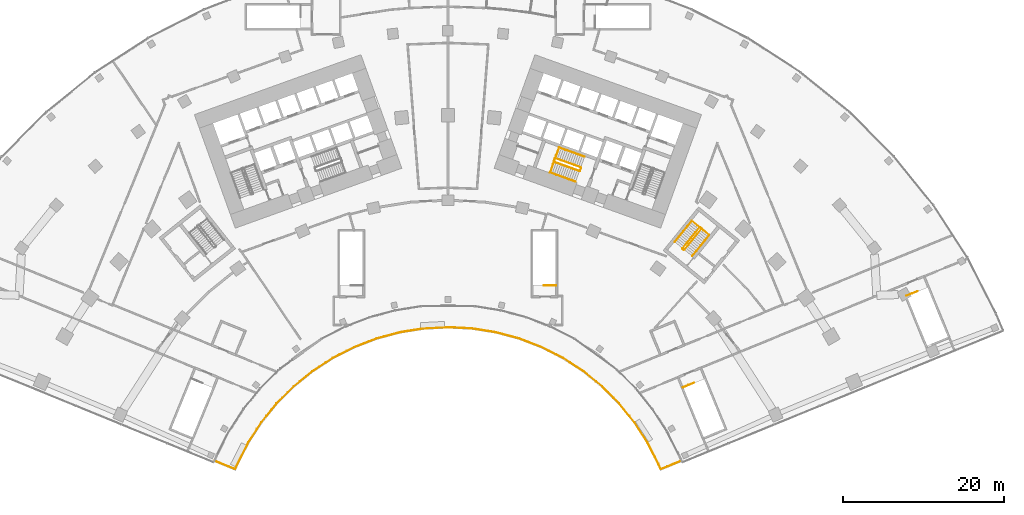
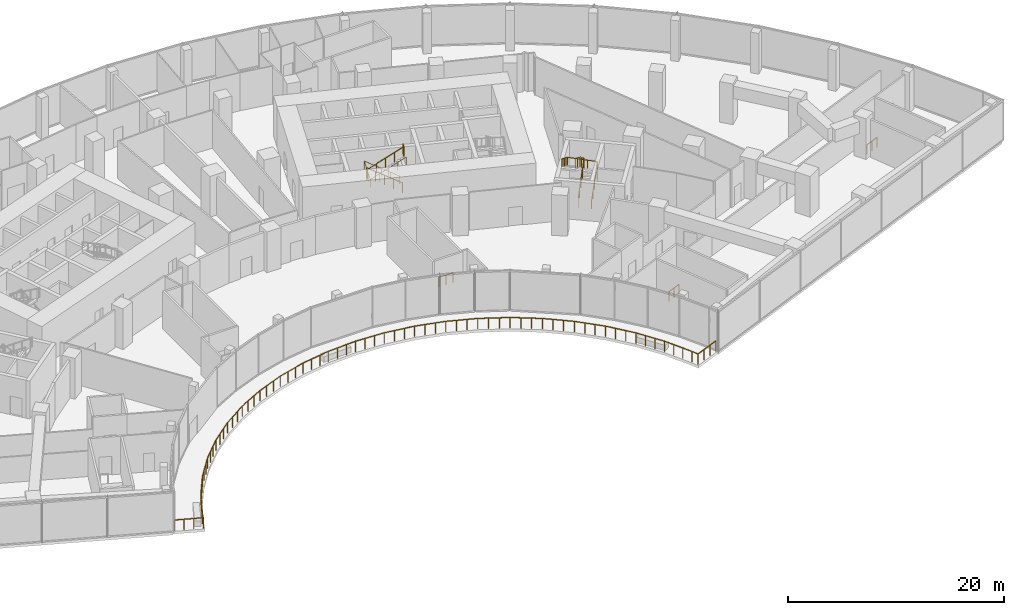
# One storey, part 32 of 33: 11 railings.
"""IFC4 building model written with IfcOpenShell, lengths in metres."""

from ifc_helpers import new_model, si_unit, direction, frame, origin, origin_2d, place, context, subcontext, project, spatial, circle, extrude, material, type_object, element, save


model = new_model("IFC4")

# Units and contexts
model_context = context("Model", 3, precision=1e-05, world=origin(), true_north=direction((0.0, 1.0)))
body_context = subcontext(model_context, "Body", "Model", "MODEL_VIEW")
ifc_project = project(units=[si_unit("LENGTHUNIT", "METRE"), si_unit("AREAUNIT", "SQUARE_METRE"), si_unit("VOLUMEUNIT", "CUBIC_METRE"), si_unit("PLANEANGLEUNIT", "RADIAN"), si_unit("MASSUNIT", "GRAM", prefix="KILO")], contexts=[model_context])

# Site, building, storey
site_placement = place(None, origin())
site = spatial("IfcSite", under=ifc_project, at=site_placement, CompositionType="ELEMENT")
building_placement = place(site_placement, origin())
building = spatial("IfcBuilding", under=site, at=building_placement, Name="Stone Belt Terrace Tower", CompositionType="ELEMENT")
storey_placement = place(building_placement, frame((0.0, 0.0, 25.39990234375)))
storey = spatial("IfcBuildingStorey", under=building, at=storey_placement, Name="L05", CompositionType="ELEMENT", Elevation=25.39990234375)

# Railings
ifc_material_1 = material(Name="Steel balustrade", Category="steel")
railing_type_1 = type_object("IfcRailingType", Name="Podium stair guard", PredefinedType="GUARDRAIL", material=ifc_material_1)
for number, where, name in (
    (1, (29.2236328125, 21.185546875, 0.0), "L05 PS3 top well guard 1"),
    (2, (56.982666015625, 32.562744140625, 0.0), "L05 PS4 top well guard 1"),
):
    element("IfcRailing", number, at=place(storey_placement, frame(where)), inside=storey, type_object=railing_type_1, Name=name, PredefinedType="GUARDRAIL", context=body_context, shape_type="SweptSolid", body=[
        extrude(circle(Radius=0.02392578125, at=origin_2d()), frame((0.0, 0.0, 1.076171875), z_axis=(0.925300457224, 0.379234839988, 0.0), x_axis=(-0.379234839988, 0.925300457224, 0.0)), (0.0, 0.0, 1.0), 1.5),
        extrude(circle(Radius=0.02099609375, at=origin_2d()), origin(), (0.0, 0.0, 1.0), 1.052001953125),
        extrude(circle(Radius=0.02099609375, at=origin_2d()), frame((0.69384765625, 0.284423828125, 0.0)), (0.0, 0.0, 1.0), 1.052001953125),
        extrude(circle(Radius=0.02099609375, at=origin_2d()), frame((1.387939453125, 0.56884765625, 0.0)), (0.0, 0.0, 1.0), 1.052001953125),
    ])
railing_1_placement = place(storey_placement, frame((13.425048828125, 33.840087890625, 0.0)))
element("IfcRailing", 3, at=railing_1_placement, inside=storey, type_object=railing_type_1, Name="L05 PS6 top well guard 1", PredefinedType="GUARDRAIL", context=body_context, shape_type="SweptSolid", body=[
    extrude(circle(Radius=0.02392578125, at=origin_2d()), frame((0.0, 0.0, 1.076171875), z_axis=(-1.0, 0.0, 0.0), x_axis=(0.0, -1.0, 0.0)), (0.0, 0.0, 1.0), 1.5),
    extrude(circle(Radius=0.02099609375, at=origin_2d()), origin(), (0.0, 0.0, 1.0), 1.052001953125),
    extrude(circle(Radius=0.02099609375, at=origin_2d()), frame((-0.75, 0.0, 0.0)), (0.0, 0.0, 1.0), 1.052001953125),
    extrude(circle(Radius=0.02099609375, at=origin_2d()), frame((-1.5, 0.0, 0.0)), (0.0, 0.0, 1.0), 1.052001953125),
])
ifc_material_2 = material(Name="Structural steel C345", Category="steel")
railing_type_2 = type_object("IfcRailingType", Name="Stair guard 1100", PredefinedType="GUARDRAIL", material=ifc_material_2)
railing_2_placement = place(storey_placement, frame((16.507568359375, 48.527099609375, 0.177001953125)))
element("IfcRailing", 4, at=railing_2_placement, inside=storey, type_object=railing_type_2, Name="L05 ST2B stair guard 1", PredefinedType="GUARDRAIL", context=body_context, shape_type="SweptSolid", body=[
    extrude(circle(Radius=0.02392578125, at=origin_2d()), frame((0.0, 0.0, 1.076171875), z_axis=(-0.795431811234, 0.286254710043, 0.534178317283), x_axis=(-0.338613969627, -0.9409253847, 0.0)), (0.0, 0.0, 1.0), 3.974365234375),
    extrude(circle(Radius=0.02392578125, at=origin_2d()), frame((-3.161376953125, 1.1376953125, 3.19921875), z_axis=(-0.905209821074, -0.424964916, 0.0), x_axis=(0.424964916, -0.905209821074, 0.0)), (0.0, 0.0, 1.0), 0.070556640625),
    extrude(circle(Radius=0.02392578125, at=origin_2d()), frame((-3.225341796875, 1.107666015625, 3.19921875), z_axis=(-0.338654645739, -0.940910745459, 0.0), x_axis=(0.940910745459, -0.338654645739, 0.0)), (0.0, 0.0, 1.0), 0.400146484375),
    extrude(circle(Radius=0.02099609375, at=origin_2d()), origin(), (0.0, 0.0, 1.0), 1.052001953125),
    extrude(circle(Radius=0.02099609375, at=origin_2d()), frame((-0.790283203125, 0.284423828125, 0.53076171875)), (0.0, 0.0, 1.0), 1.052001953125),
    extrude(circle(Radius=0.02099609375, at=origin_2d()), frame((-1.58056640625, 0.56884765625, 1.0615234375)), (0.0, 0.0, 1.0), 1.052001953125),
    extrude(circle(Radius=0.02099609375, at=origin_2d()), frame((-2.37109375, 0.853271484375, 1.59228515625)), (0.0, 0.0, 1.0), 1.052001953125),
    extrude(circle(Radius=0.02099609375, at=origin_2d()), frame((-3.161376953125, 1.1376953125, 2.123046875)), (0.0, 0.0, 1.0), 1.052001953125),
    extrude(circle(Radius=0.02099609375, at=origin_2d()), frame((-3.225341796875, 1.107666015625, 2.123046875)), (0.0, 0.0, 1.0), 1.052001953125),
    extrude(circle(Radius=0.02099609375, at=origin_2d()), frame((-3.36083984375, 0.731201171875, 2.123046875)), (0.0, 0.0, 1.0), 1.052001953125),
])
railing_3_placement = place(storey_placement, frame((13.1767578125, 49.1943359375, 2.47705078125)))
element("IfcRailing", 5, at=railing_3_placement, inside=storey, type_object=railing_type_2, Name="L05 ST2B stair guard 2", PredefinedType="GUARDRAIL", context=body_context, shape_type="SweptSolid", body=[
    extrude(circle(Radius=0.02392578125, at=origin_2d()), frame((0.0, 0.0, 1.076171875), z_axis=(0.79545437138, -0.286240723601, 0.53415221726), x_axis=(0.338590819614, 0.940933715451, 0.0)), (0.0, 0.0, 1.0), 3.974609375),
    extrude(circle(Radius=0.02392578125, at=origin_2d()), frame((3.16162109375, -1.1376953125, 3.19921875), z_axis=(0.905209821074, 0.424964916, 0.0), x_axis=(-0.424964916, 0.905209821074, 0.0)), (0.0, 0.0, 1.0), 0.070556640625),
    extrude(circle(Radius=0.02392578125, at=origin_2d()), frame((3.2255859375, -1.107666015625, 3.19921875), z_axis=(0.338654645739, 0.940910745459, 0.0), x_axis=(-0.940910745459, 0.338654645739, 0.0)), (0.0, 0.0, 1.0), 0.400146484375),
    extrude(circle(Radius=0.02099609375, at=origin_2d()), origin(), (0.0, 0.0, 1.0), 1.052001953125),
    extrude(circle(Radius=0.02099609375, at=origin_2d()), frame((0.79052734375, -0.284423828125, 0.53076171875)), (0.0, 0.0, 1.0), 1.052001953125),
    extrude(circle(Radius=0.02099609375, at=origin_2d()), frame((1.580810546875, -0.56884765625, 1.0615234375)), (0.0, 0.0, 1.0), 1.052001953125),
    extrude(circle(Radius=0.02099609375, at=origin_2d()), frame((2.37109375, -0.853271484375, 1.59228515625)), (0.0, 0.0, 1.0), 1.052001953125),
    extrude(circle(Radius=0.02099609375, at=origin_2d()), frame((3.16162109375, -1.1376953125, 2.123046875)), (0.0, 0.0, 1.0), 1.052001953125),
    extrude(circle(Radius=0.02099609375, at=origin_2d()), frame((3.2255859375, -1.107666015625, 2.123046875)), (0.0, 0.0, 1.0), 1.052001953125),
    extrude(circle(Radius=0.02099609375, at=origin_2d()), frame((3.361083984375, -0.731201171875, 2.123046875)), (0.0, 0.0, 1.0), 1.052001953125),
])
railing_4_placement = place(storey_placement, frame((29.39794921875, 38.281982421875, 0.177001953125)))
element("IfcRailing", 6, at=railing_4_placement, inside=storey, type_object=railing_type_2, Name="L05 ST3B stair guard 1", PredefinedType="GUARDRAIL", context=body_context, shape_type="SweptSolid", body=[
    extrude(circle(Radius=0.02392578125, at=origin_2d()), frame((0.0, 0.0, 1.076171875), z_axis=(0.532811519988, 0.656339761479, 0.534162898065), x_axis=(-0.776382860746, 0.63026157549, 0.0)), (0.0, 0.0, 1.0), 3.974609375),
    extrude(circle(Radius=0.02392578125, at=origin_2d()), frame((2.11767578125, 2.608642578125, 3.19921875), z_axis=(-0.103606084259, 0.994618408891, 0.0), x_axis=(-0.994618408891, -0.103606084259, 0.0)), (0.0, 0.0, 1.0), 0.07080078125),
    extrude(circle(Radius=0.02392578125, at=origin_2d()), frame((2.1103515625, 2.678955078125, 3.19921875), z_axis=(-0.775964699182, 0.630776335656, 0.0), x_axis=(-0.630776335656, -0.775964699182, 0.0)), (0.0, 0.0, 1.0), 0.2001953125),
    extrude(circle(Radius=0.02099609375, at=origin_2d()), origin(), (0.0, 0.0, 1.0), 1.052001953125),
    extrude(circle(Radius=0.02099609375, at=origin_2d()), frame((0.529296875, 0.652099609375, 0.53076171875)), (0.0, 0.0, 1.0), 1.052001953125),
    extrude(circle(Radius=0.02099609375, at=origin_2d()), frame((1.058837890625, 1.30419921875, 1.0615234375)), (0.0, 0.0, 1.0), 1.052001953125),
    extrude(circle(Radius=0.02099609375, at=origin_2d()), frame((1.58837890625, 1.95654296875, 1.59228515625)), (0.0, 0.0, 1.0), 1.052001953125),
    extrude(circle(Radius=0.02099609375, at=origin_2d()), frame((2.11767578125, 2.608642578125, 2.123046875)), (0.0, 0.0, 1.0), 1.052001953125),
    extrude(circle(Radius=0.02099609375, at=origin_2d()), frame((2.1103515625, 2.678955078125, 2.123046875)), (0.0, 0.0, 1.0), 1.052001953125),
    extrude(circle(Radius=0.02099609375, at=origin_2d()), frame((1.955078125, 2.80517578125, 2.123046875)), (0.0, 0.0, 1.0), 1.052001953125),
])
railing_5_placement = place(storey_placement, frame((31.28271484375, 41.079833984375, 2.47705078125)))
element("IfcRailing", 7, at=railing_5_placement, inside=storey, type_object=railing_type_2, Name="L05 ST3B stair guard 2", PredefinedType="GUARDRAIL", context=body_context, shape_type="SweptSolid", body=[
    extrude(circle(Radius=0.02392578125, at=origin_2d()), frame((0.0, 0.0, 1.076171875), z_axis=(-0.532790039182, -0.656374724314, 0.534141362777), x_axis=(0.776411721411, -0.63022602204, 0.0)), (0.0, 0.0, 1.0), 3.974609375),
    extrude(circle(Radius=0.02392578125, at=origin_2d()), frame((-2.11767578125, -2.60888671875, 3.19921875), z_axis=(0.103606084259, -0.994618408891, 0.0), x_axis=(0.994618408891, 0.103606084259, 0.0)), (0.0, 0.0, 1.0), 0.07080078125),
    extrude(circle(Radius=0.02392578125, at=origin_2d()), frame((-2.1103515625, -2.67919921875, 3.19921875), z_axis=(0.776561986372, -0.630040856868, 0.0), x_axis=(0.630040856868, 0.776561986372, 0.0)), (0.0, 0.0, 1.0), 0.199951171875),
    extrude(circle(Radius=0.02099609375, at=origin_2d()), origin(), (0.0, 0.0, 1.0), 1.052001953125),
    extrude(circle(Radius=0.02099609375, at=origin_2d()), frame((-0.529296875, -0.65234375, 0.53076171875)), (0.0, 0.0, 1.0), 1.052001953125),
    extrude(circle(Radius=0.02099609375, at=origin_2d()), frame((-1.058837890625, -1.304443359375, 1.0615234375)), (0.0, 0.0, 1.0), 1.052001953125),
    extrude(circle(Radius=0.02099609375, at=origin_2d()), frame((-1.58837890625, -1.95654296875, 1.59228515625)), (0.0, 0.0, 1.0), 1.052001953125),
    extrude(circle(Radius=0.02099609375, at=origin_2d()), frame((-2.11767578125, -2.60888671875, 2.123046875)), (0.0, 0.0, 1.0), 1.052001953125),
    extrude(circle(Radius=0.02099609375, at=origin_2d()), frame((-2.1103515625, -2.67919921875, 2.123046875)), (0.0, 0.0, 1.0), 1.052001953125),
    extrude(circle(Radius=0.02099609375, at=origin_2d()), frame((-1.955078125, -2.80517578125, 2.123046875)), (0.0, 0.0, 1.0), 1.052001953125),
])
railing_type_3 = type_object("IfcRailingType", Name="Stair handrail 900", PredefinedType="HANDRAIL", material=ifc_material_2)
railing_6_placement = place(storey_placement, frame((16.981689453125, 49.84423828125, 0.177001953125)))
element("IfcRailing", 8, at=railing_6_placement, inside=storey, type_object=railing_type_3, Name="L05 ST2B stair handrail 1", PredefinedType="HANDRAIL", context=body_context, shape_type="SweptSolid", body=[
    extrude(circle(Radius=0.02392578125, at=origin_2d()), frame((0.0, 0.0, 0.8759765625), z_axis=(-0.795417823175, 0.286311103083, 0.534168923494), x_axis=(-0.338678299589, -0.940902231577, 0.0)), (0.0, 0.0, 1.0), 3.974365234375),
    extrude(circle(Radius=0.02392578125, at=origin_2d()), frame((-3.161376953125, 1.137939453125, 2.9990234375), z_axis=(-0.338112997137, -0.939580338779, 0.053557335138), x_axis=(0.940930785231, -0.338598962497, 0.0)), (0.0, 0.0, 1.0), 3.304931640625),
    extrude(circle(Radius=0.02392578125, at=origin_2d()), frame((-4.27880859375, -1.96728515625, 3.17578125), z_axis=(0.795431811234, -0.286254710043, 0.534178317283), x_axis=(0.338613969627, 0.9409253847, 0.0)), (0.0, 0.0, 1.0), 3.974365234375),
    extrude(circle(Radius=0.02099609375, at=origin_2d()), origin(), (0.0, 0.0, 1.0), 0.851806640625),
    extrude(circle(Radius=0.02099609375, at=origin_2d()), frame((-0.790283203125, 0.284423828125, 0.53076171875)), (0.0, 0.0, 1.0), 0.851806640625),
    extrude(circle(Radius=0.02099609375, at=origin_2d()), frame((-1.58056640625, 0.56884765625, 1.0615234375)), (0.0, 0.0, 1.0), 0.851806640625),
    extrude(circle(Radius=0.02099609375, at=origin_2d()), frame((-2.37109375, 0.853515625, 1.59228515625)), (0.0, 0.0, 1.0), 0.851806640625),
    extrude(circle(Radius=0.02099609375, at=origin_2d()), frame((-3.161376953125, 1.137939453125, 2.123046875)), (0.0, 0.0, 1.0), 0.851806640625),
    extrude(circle(Radius=0.02099609375, at=origin_2d()), frame((-3.533935546875, 0.102783203125, 2.18212890625)), (0.0, 0.0, 1.0), 0.851806640625),
    extrude(circle(Radius=0.02099609375, at=origin_2d()), frame((-3.90625, -0.93212890625, 2.240966796875)), (0.0, 0.0, 1.0), 0.851806640625),
    extrude(circle(Radius=0.02099609375, at=origin_2d()), frame((-4.27880859375, -1.96728515625, 2.300048828125)), (0.0, 0.0, 1.0), 0.851806640625),
    extrude(circle(Radius=0.02099609375, at=origin_2d()), frame((-3.488525390625, -2.251708984375, 2.830810546875)), (0.0, 0.0, 1.0), 0.851806640625),
    extrude(circle(Radius=0.02099609375, at=origin_2d()), frame((-2.6982421875, -2.5361328125, 3.361572265625)), (0.0, 0.0, 1.0), 0.851806640625),
    extrude(circle(Radius=0.02099609375, at=origin_2d()), frame((-1.90771484375, -2.820556640625, 3.892333984375)), (0.0, 0.0, 1.0), 0.851806640625),
    extrude(circle(Radius=0.02099609375, at=origin_2d()), frame((-1.117431640625, -3.10498046875, 4.423095703125)), (0.0, 0.0, 1.0), 0.851806640625),
])
railing_7_placement = place(storey_placement, frame((30.36865234375, 37.494140625, 0.177001953125)))
element("IfcRailing", 9, at=railing_7_placement, inside=storey, type_object=railing_type_3, Name="L05 ST3B stair handrail 1", PredefinedType="HANDRAIL", context=body_context, shape_type="SweptSolid", body=[
    extrude(circle(Radius=0.02392578125, at=origin_2d()), frame((0.0, 0.0, 0.8759765625), z_axis=(0.532746049304, 0.656396204642, 0.534158842932), x_axis=(-0.776447273909, 0.630182220345, 0.0)), (0.0, 0.0, 1.0), 3.974609375),
    extrude(circle(Radius=0.02392578125, at=origin_2d()), frame((2.117431640625, 2.60888671875, 2.9990234375), z_axis=(-0.774921747316, 0.628900557873, 0.063090204021), x_axis=(-0.630155936441, -0.776468605784, 0.0)), (0.0, 0.0, 1.0), 2.805419921875),
    extrude(circle(Radius=0.02392578125, at=origin_2d()), frame((-0.056640625, 4.373291015625, 3.17578125), z_axis=(-0.532767529742, -0.656361242395, 0.534180380334), x_axis=(0.776418415934, -0.630217774581, 0.0)), (0.0, 0.0, 1.0), 3.974365234375),
    extrude(circle(Radius=0.02099609375, at=origin_2d()), origin(), (0.0, 0.0, 1.0), 0.851806640625),
    extrude(circle(Radius=0.02099609375, at=origin_2d()), frame((0.529296875, 0.65234375, 0.53076171875)), (0.0, 0.0, 1.0), 0.851806640625),
    extrude(circle(Radius=0.02099609375, at=origin_2d()), frame((1.05859375, 1.304443359375, 1.0615234375)), (0.0, 0.0, 1.0), 0.851806640625),
    extrude(circle(Radius=0.02099609375, at=origin_2d()), frame((1.588134765625, 1.95654296875, 1.59228515625)), (0.0, 0.0, 1.0), 0.851806640625),
    extrude(circle(Radius=0.02099609375, at=origin_2d()), frame((2.117431640625, 2.60888671875, 2.123046875)), (0.0, 0.0, 1.0), 0.851806640625),
    extrude(circle(Radius=0.02099609375, at=origin_2d()), frame((1.392822265625, 3.197021484375, 2.18212890625)), (0.0, 0.0, 1.0), 0.851806640625),
    extrude(circle(Radius=0.02099609375, at=origin_2d()), frame((0.66796875, 3.78515625, 2.240966796875)), (0.0, 0.0, 1.0), 0.851806640625),
    extrude(circle(Radius=0.02099609375, at=origin_2d()), frame((-0.056640625, 4.373291015625, 2.300048828125)), (0.0, 0.0, 1.0), 0.851806640625),
    extrude(circle(Radius=0.02099609375, at=origin_2d()), frame((-0.5859375, 3.72119140625, 2.830810546875)), (0.0, 0.0, 1.0), 0.851806640625),
    extrude(circle(Radius=0.02099609375, at=origin_2d()), frame((-1.115234375, 3.06884765625, 3.361572265625)), (0.0, 0.0, 1.0), 0.851806640625),
    extrude(circle(Radius=0.02099609375, at=origin_2d()), frame((-1.644775390625, 2.416748046875, 3.892333984375)), (0.0, 0.0, 1.0), 0.851806640625),
    extrude(circle(Radius=0.02099609375, at=origin_2d()), frame((-2.174072265625, 1.7646484375, 4.423095703125)), (0.0, 0.0, 1.0), 0.851806640625),
])
ifc_material_3 = material(Name="Stainless steel AISI 304", Category="steel")
railing_type_4 = type_object("IfcRailingType", Name="Terrace guard 1200", PredefinedType="GUARDRAIL", material=ifc_material_3)
railing_8_placement = place(storey_placement, frame((-28.948974609375, 12.027099609375, 0.0)))
element("IfcRailing", 10, at=railing_8_placement, inside=storey, type_object=railing_type_4, Name="GUARD L05 1.1", PredefinedType="GUARDRAIL", context=body_context, shape_type="SweptSolid", body=[
    extrude(circle(Radius=0.02490234375, at=origin_2d()), frame((0.0, 0.0, 1.1748046875), z_axis=(0.925287451014, -0.379266572474, 0.0), x_axis=(0.379266572474, 0.925287451014, 0.0)), (0.0, 0.0, 1.0), 2.69970703125),
    extrude(circle(Radius=0.02490234375, at=origin_2d()), frame((2.498046875, -1.02392578125, 1.1748046875), z_axis=(0.393296284323, 0.919411786273, 0.0), x_axis=(-0.919411786273, 0.393296284323, 0.0)), (0.0, 0.0, 1.0), 0.70947265625),
    extrude(circle(Radius=0.02490234375, at=origin_2d()), frame((2.777099609375, -0.37158203125, 1.1748046875), z_axis=(0.453947752961, 0.891028303469, 0.0), x_axis=(-0.891028303469, 0.453947752961, 0.0)), (0.0, 0.0, 1.0), 2.99609375),
    extrude(circle(Radius=0.02490234375, at=origin_2d()), frame((4.13720703125, 2.298095703125, 1.1748046875), z_axis=(0.544664940249, 0.838653744321, 0.0), x_axis=(-0.838653744321, 0.544664940249, 0.0)), (0.0, 0.0, 1.0), 2.998779296875),
    extrude(circle(Radius=0.02490234375, at=origin_2d()), frame((5.7705078125, 4.81298828125, 1.1748046875), z_axis=(0.629310636824, 0.777153860172, 0.0), x_axis=(-0.777153860172, 0.629310636824, 0.0)), (0.0, 0.0, 1.0), 2.998779296875),
    extrude(circle(Radius=0.02490234375, at=origin_2d()), frame((7.65771484375, 7.1435546875, 1.1748046875), z_axis=(0.707106781187, 0.707106781187, 0.0), x_axis=(-0.707106781187, 0.707106781187, 0.0)), (0.0, 0.0, 1.0), 2.9990234375),
    extrude(circle(Radius=0.02490234375, at=origin_2d()), frame((9.7783203125, 9.26416015625, 1.1748046875), z_axis=(0.777153860172, 0.629310636824, 0.0), x_axis=(-0.629310636824, 0.777153860172, 0.0)), (0.0, 0.0, 1.0), 2.998779296875),
    extrude(circle(Radius=0.02490234375, at=origin_2d()), frame((12.10888671875, 11.1513671875, 1.1748046875), z_axis=(0.838653744321, 0.544664940249, 0.0), x_axis=(-0.544664940249, 0.838653744321, 0.0)), (0.0, 0.0, 1.0), 2.998779296875),
    extrude(circle(Radius=0.02490234375, at=origin_2d()), frame((14.623779296875, 12.78466796875, 1.1748046875), z_axis=(0.890998490655, 0.454006266092, 0.0), x_axis=(-0.454006266092, 0.890998490655, 0.0)), (0.0, 0.0, 1.0), 2.9990234375),
    extrude(circle(Radius=0.02490234375, at=origin_2d()), frame((17.2958984375, 14.146240234375, 1.1748046875), z_axis=(0.933574131304, 0.358384348653, 0.0), x_axis=(-0.358384348653, 0.933574131304, 0.0)), (0.0, 0.0, 1.0), 2.998779296875),
    extrude(circle(Radius=0.02490234375, at=origin_2d()), frame((20.095458984375, 15.220947265625, 1.1748046875), z_axis=(0.965930246067, 0.258802549705, 0.0), x_axis=(-0.258802549705, 0.965930246067, 0.0)), (0.0, 0.0, 1.0), 2.998779296875),
    extrude(circle(Radius=0.02490234375, at=origin_2d()), frame((22.9921875, 15.9970703125, 1.1748046875), z_axis=(0.987694881139, 0.156393164084, 0.0), x_axis=(-0.156393164084, 0.987694881139, 0.0)), (0.0, 0.0, 1.0), 2.998779296875),
    extrude(circle(Radius=0.02490234375, at=origin_2d()), frame((25.9541015625, 16.466064453125, 1.1748046875), z_axis=(0.998629050646, 0.052345192758, 0.0), x_axis=(-0.052345192758, 0.998629050646, 0.0)), (0.0, 0.0, 1.0), 2.9990234375),
    extrude(circle(Radius=0.02490234375, at=origin_2d()), frame((28.948974609375, 16.623046875, 1.1748046875), z_axis=(0.998629050646, -0.052345192758, 0.0), x_axis=(0.052345192758, 0.998629050646, 0.0)), (0.0, 0.0, 1.0), 2.9990234375),
    extrude(circle(Radius=0.02490234375, at=origin_2d()), frame((31.94384765625, 16.466064453125, 1.1748046875), z_axis=(0.987694881139, -0.156393164084, 0.0), x_axis=(0.156393164084, 0.987694881139, 0.0)), (0.0, 0.0, 1.0), 2.998779296875),
    extrude(circle(Radius=0.02490234375, at=origin_2d()), frame((34.90576171875, 15.9970703125, 1.1748046875), z_axis=(0.965930246067, -0.258802549705, 0.0), x_axis=(0.258802549705, 0.965930246067, 0.0)), (0.0, 0.0, 1.0), 2.998779296875),
    extrude(circle(Radius=0.02490234375, at=origin_2d()), frame((37.802490234375, 15.220947265625, 1.1748046875), z_axis=(0.933574131304, -0.358384348653, 0.0), x_axis=(0.358384348653, 0.933574131304, 0.0)), (0.0, 0.0, 1.0), 2.998779296875),
    extrude(circle(Radius=0.02490234375, at=origin_2d()), frame((40.60205078125, 14.146240234375, 1.1748046875), z_axis=(0.890998490655, -0.454006266092, 0.0), x_axis=(0.454006266092, 0.890998490655, 0.0)), (0.0, 0.0, 1.0), 2.9990234375),
    extrude(circle(Radius=0.02490234375, at=origin_2d()), frame((43.274169921875, 12.78466796875, 1.1748046875), z_axis=(0.838653744321, -0.544664940249, 0.0), x_axis=(0.544664940249, 0.838653744321, 0.0)), (0.0, 0.0, 1.0), 2.998779296875),
    extrude(circle(Radius=0.02490234375, at=origin_2d()), frame((45.7890625, 11.1513671875, 1.1748046875), z_axis=(0.777153860172, -0.629310636824, 0.0), x_axis=(0.629310636824, 0.777153860172, 0.0)), (0.0, 0.0, 1.0), 2.998779296875),
    extrude(circle(Radius=0.02490234375, at=origin_2d()), frame((48.11962890625, 9.26416015625, 1.1748046875), z_axis=(0.707106781187, -0.707106781187, 0.0), x_axis=(0.707106781187, 0.707106781187, 0.0)), (0.0, 0.0, 1.0), 2.9990234375),
    extrude(circle(Radius=0.02001953125, at=origin_2d()), origin(), (0.0, 0.0, 1.0), 1.14990234375),
    extrude(circle(Radius=0.02001953125, at=origin_2d()), frame((0.832763671875, -0.34130859375, 0.0)), (0.0, 0.0, 1.0), 1.14990234375),
    extrude(circle(Radius=0.02001953125, at=origin_2d()), frame((1.665283203125, -0.6826171875, 0.0)), (0.0, 0.0, 1.0), 1.14990234375),
    extrude(circle(Radius=0.02001953125, at=origin_2d()), frame((2.498046875, -1.02392578125, 0.0)), (0.0, 0.0, 1.0), 1.14990234375),
    extrude(circle(Radius=0.02001953125, at=origin_2d()), frame((2.777099609375, -0.37158203125, 0.0)), (0.0, 0.0, 1.0), 1.14990234375),
    extrude(circle(Radius=0.02001953125, at=origin_2d()), frame((3.23046875, 0.518310546875, 0.0)), (0.0, 0.0, 1.0), 1.14990234375),
    extrude(circle(Radius=0.02001953125, at=origin_2d()), frame((3.683837890625, 1.408203125, 0.0)), (0.0, 0.0, 1.0), 1.14990234375),
    extrude(circle(Radius=0.02001953125, at=origin_2d()), frame((4.13720703125, 2.298095703125, 0.0)), (0.0, 0.0, 1.0), 1.14990234375),
    extrude(circle(Radius=0.02001953125, at=origin_2d()), frame((4.681640625, 3.136474609375, 0.0)), (0.0, 0.0, 1.0), 1.14990234375),
    extrude(circle(Radius=0.02001953125, at=origin_2d()), frame((5.22607421875, 3.974609375, 0.0)), (0.0, 0.0, 1.0), 1.14990234375),
    extrude(circle(Radius=0.02001953125, at=origin_2d()), frame((5.7705078125, 4.81298828125, 0.0)), (0.0, 0.0, 1.0), 1.14990234375),
    extrude(circle(Radius=0.02001953125, at=origin_2d()), frame((6.399658203125, 5.58984375, 0.0)), (0.0, 0.0, 1.0), 1.14990234375),
    extrude(circle(Radius=0.02001953125, at=origin_2d()), frame((7.028564453125, 6.36669921875, 0.0)), (0.0, 0.0, 1.0), 1.14990234375),
    extrude(circle(Radius=0.02001953125, at=origin_2d()), frame((7.65771484375, 7.1435546875, 0.0)), (0.0, 0.0, 1.0), 1.14990234375),
    extrude(circle(Radius=0.02001953125, at=origin_2d()), frame((8.364501953125, 7.850341796875, 0.0)), (0.0, 0.0, 1.0), 1.14990234375),
    extrude(circle(Radius=0.02001953125, at=origin_2d()), frame((9.071533203125, 8.557373046875, 0.0)), (0.0, 0.0, 1.0), 1.14990234375),
    extrude(circle(Radius=0.02001953125, at=origin_2d()), frame((9.7783203125, 9.26416015625, 0.0)), (0.0, 0.0, 1.0), 1.14990234375),
    extrude(circle(Radius=0.02001953125, at=origin_2d()), frame((10.55517578125, 9.893310546875, 0.0)), (0.0, 0.0, 1.0), 1.14990234375),
    extrude(circle(Radius=0.02001953125, at=origin_2d()), frame((11.33203125, 10.522216796875, 0.0)), (0.0, 0.0, 1.0), 1.14990234375),
    extrude(circle(Radius=0.02001953125, at=origin_2d()), frame((12.10888671875, 11.1513671875, 0.0)), (0.0, 0.0, 1.0), 1.14990234375),
    extrude(circle(Radius=0.02001953125, at=origin_2d()), frame((12.947265625, 11.69580078125, 0.0)), (0.0, 0.0, 1.0), 1.14990234375),
    extrude(circle(Radius=0.02001953125, at=origin_2d()), frame((13.785400390625, 12.240234375, 0.0)), (0.0, 0.0, 1.0), 1.14990234375),
    extrude(circle(Radius=0.02001953125, at=origin_2d()), frame((14.623779296875, 12.78466796875, 0.0)), (0.0, 0.0, 1.0), 1.14990234375),
    extrude(circle(Radius=0.02001953125, at=origin_2d()), frame((15.514404296875, 13.238525390625, 0.0)), (0.0, 0.0, 1.0), 1.14990234375),
    extrude(circle(Radius=0.02001953125, at=origin_2d()), frame((16.4052734375, 13.6923828125, 0.0)), (0.0, 0.0, 1.0), 1.14990234375),
    extrude(circle(Radius=0.02001953125, at=origin_2d()), frame((17.2958984375, 14.146240234375, 0.0)), (0.0, 0.0, 1.0), 1.14990234375),
    extrude(circle(Radius=0.02001953125, at=origin_2d()), frame((18.22900390625, 14.50439453125, 0.0)), (0.0, 0.0, 1.0), 1.14990234375),
    extrude(circle(Radius=0.02001953125, at=origin_2d()), frame((19.162353515625, 14.86279296875, 0.0)), (0.0, 0.0, 1.0), 1.14990234375),
    extrude(circle(Radius=0.02001953125, at=origin_2d()), frame((20.095458984375, 15.220947265625, 0.0)), (0.0, 0.0, 1.0), 1.14990234375),
    extrude(circle(Radius=0.02001953125, at=origin_2d()), frame((21.06103515625, 15.479736328125, 0.0)), (0.0, 0.0, 1.0), 1.14990234375),
    extrude(circle(Radius=0.02001953125, at=origin_2d()), frame((22.026611328125, 15.73828125, 0.0)), (0.0, 0.0, 1.0), 1.14990234375),
    extrude(circle(Radius=0.02001953125, at=origin_2d()), frame((22.9921875, 15.9970703125, 0.0)), (0.0, 0.0, 1.0), 1.14990234375),
    extrude(circle(Radius=0.02001953125, at=origin_2d()), frame((23.9794921875, 16.1533203125, 0.0)), (0.0, 0.0, 1.0), 1.14990234375),
    extrude(circle(Radius=0.02001953125, at=origin_2d()), frame((24.966796875, 16.309814453125, 0.0)), (0.0, 0.0, 1.0), 1.14990234375),
    extrude(circle(Radius=0.02001953125, at=origin_2d()), frame((25.9541015625, 16.466064453125, 0.0)), (0.0, 0.0, 1.0), 1.14990234375),
    extrude(circle(Radius=0.02001953125, at=origin_2d()), frame((26.952392578125, 16.518310546875, 0.0)), (0.0, 0.0, 1.0), 1.14990234375),
    extrude(circle(Radius=0.02001953125, at=origin_2d()), frame((27.95068359375, 16.57080078125, 0.0)), (0.0, 0.0, 1.0), 1.14990234375),
    extrude(circle(Radius=0.02001953125, at=origin_2d()), frame((28.948974609375, 16.623046875, 0.0)), (0.0, 0.0, 1.0), 1.14990234375),
    extrude(circle(Radius=0.02001953125, at=origin_2d()), frame((29.947265625, 16.57080078125, 0.0)), (0.0, 0.0, 1.0), 1.14990234375),
    extrude(circle(Radius=0.02001953125, at=origin_2d()), frame((30.945556640625, 16.518310546875, 0.0)), (0.0, 0.0, 1.0), 1.14990234375),
    extrude(circle(Radius=0.02001953125, at=origin_2d()), frame((31.94384765625, 16.466064453125, 0.0)), (0.0, 0.0, 1.0), 1.14990234375),
    extrude(circle(Radius=0.02001953125, at=origin_2d()), frame((32.93115234375, 16.309814453125, 0.0)), (0.0, 0.0, 1.0), 1.14990234375),
    extrude(circle(Radius=0.02001953125, at=origin_2d()), frame((33.91845703125, 16.1533203125, 0.0)), (0.0, 0.0, 1.0), 1.14990234375),
    extrude(circle(Radius=0.02001953125, at=origin_2d()), frame((34.90576171875, 15.9970703125, 0.0)), (0.0, 0.0, 1.0), 1.14990234375),
    extrude(circle(Radius=0.02001953125, at=origin_2d()), frame((35.871337890625, 15.73828125, 0.0)), (0.0, 0.0, 1.0), 1.14990234375),
    extrude(circle(Radius=0.02001953125, at=origin_2d()), frame((36.8369140625, 15.479736328125, 0.0)), (0.0, 0.0, 1.0), 1.14990234375),
    extrude(circle(Radius=0.02001953125, at=origin_2d()), frame((37.802490234375, 15.220947265625, 0.0)), (0.0, 0.0, 1.0), 1.14990234375),
    extrude(circle(Radius=0.02001953125, at=origin_2d()), frame((38.735595703125, 14.86279296875, 0.0)), (0.0, 0.0, 1.0), 1.14990234375),
    extrude(circle(Radius=0.02001953125, at=origin_2d()), frame((39.6689453125, 14.50439453125, 0.0)), (0.0, 0.0, 1.0), 1.14990234375),
    extrude(circle(Radius=0.02001953125, at=origin_2d()), frame((40.60205078125, 14.146240234375, 0.0)), (0.0, 0.0, 1.0), 1.14990234375),
    extrude(circle(Radius=0.02001953125, at=origin_2d()), frame((41.49267578125, 13.6923828125, 0.0)), (0.0, 0.0, 1.0), 1.14990234375),
    extrude(circle(Radius=0.02001953125, at=origin_2d()), frame((42.383544921875, 13.238525390625, 0.0)), (0.0, 0.0, 1.0), 1.14990234375),
    extrude(circle(Radius=0.02001953125, at=origin_2d()), frame((43.274169921875, 12.78466796875, 0.0)), (0.0, 0.0, 1.0), 1.14990234375),
    extrude(circle(Radius=0.02001953125, at=origin_2d()), frame((44.112548828125, 12.240234375, 0.0)), (0.0, 0.0, 1.0), 1.14990234375),
    extrude(circle(Radius=0.02001953125, at=origin_2d()), frame((44.95068359375, 11.69580078125, 0.0)), (0.0, 0.0, 1.0), 1.14990234375),
    extrude(circle(Radius=0.02001953125, at=origin_2d()), frame((45.7890625, 11.1513671875, 0.0)), (0.0, 0.0, 1.0), 1.14990234375),
    extrude(circle(Radius=0.02001953125, at=origin_2d()), frame((46.56591796875, 10.522216796875, 0.0)), (0.0, 0.0, 1.0), 1.14990234375),
    extrude(circle(Radius=0.02001953125, at=origin_2d()), frame((47.3427734375, 9.893310546875, 0.0)), (0.0, 0.0, 1.0), 1.14990234375),
    extrude(circle(Radius=0.02001953125, at=origin_2d()), frame((48.11962890625, 9.26416015625, 0.0)), (0.0, 0.0, 1.0), 1.14990234375),
    extrude(circle(Radius=0.02001953125, at=origin_2d()), frame((48.826416015625, 8.557373046875, 0.0)), (0.0, 0.0, 1.0), 1.14990234375),
    extrude(circle(Radius=0.02001953125, at=origin_2d()), frame((49.533447265625, 7.850341796875, 0.0)), (0.0, 0.0, 1.0), 1.14990234375),
    extrude(circle(Radius=0.02001953125, at=origin_2d()), frame((50.240234375, 7.1435546875, 0.0)), (0.0, 0.0, 1.0), 1.14990234375),
])
railing_9_placement = place(storey_placement, frame((21.291259765625, 19.170654296875, 0.0)))
element("IfcRailing", 11, at=railing_9_placement, inside=storey, type_object=railing_type_4, Name="GUARD L05 1.2", PredefinedType="GUARDRAIL", context=body_context, shape_type="SweptSolid", body=[
    extrude(circle(Radius=0.02490234375, at=origin_2d()), frame((0.0, 0.0, 1.1748046875), z_axis=(0.629310636824, -0.777153860172, 0.0), x_axis=(0.777153860172, 0.629310636824, 0.0)), (0.0, 0.0, 1.0), 2.998779296875),
    extrude(circle(Radius=0.02490234375, at=origin_2d()), frame((1.88720703125, -2.33056640625, 1.1748046875), z_axis=(0.544664940249, -0.838653744321, 0.0), x_axis=(0.838653744321, 0.544664940249, 0.0)), (0.0, 0.0, 1.0), 2.998779296875),
    extrude(circle(Radius=0.02490234375, at=origin_2d()), frame((3.5205078125, -4.845458984375, 1.1748046875), z_axis=(0.453947752961, -0.891028303469, 0.0), x_axis=(0.891028303469, 0.453947752961, 0.0)), (0.0, 0.0, 1.0), 2.99609375),
    extrude(circle(Radius=0.02490234375, at=origin_2d()), frame((4.880615234375, -7.51513671875, 1.1748046875), z_axis=(0.393296284323, -0.919411786273, 0.0), x_axis=(0.919411786273, 0.393296284323, 0.0)), (0.0, 0.0, 1.0), 0.70947265625),
    extrude(circle(Radius=0.02490234375, at=origin_2d()), frame((5.15966796875, -8.16748046875, 1.1748046875), z_axis=(0.925287451014, 0.379266572474, 0.0), x_axis=(-0.379266572474, 0.925287451014, 0.0)), (0.0, 0.0, 1.0), 2.69970703125),
    extrude(circle(Radius=0.02001953125, at=origin_2d()), origin(), (0.0, 0.0, 1.0), 1.14990234375),
    extrude(circle(Radius=0.02001953125, at=origin_2d()), frame((0.629150390625, -0.77685546875, 0.0)), (0.0, 0.0, 1.0), 1.14990234375),
    extrude(circle(Radius=0.02001953125, at=origin_2d()), frame((1.258056640625, -1.5537109375, 0.0)), (0.0, 0.0, 1.0), 1.14990234375),
    extrude(circle(Radius=0.02001953125, at=origin_2d()), frame((1.88720703125, -2.33056640625, 0.0)), (0.0, 0.0, 1.0), 1.14990234375),
    extrude(circle(Radius=0.02001953125, at=origin_2d()), frame((2.431640625, -3.1689453125, 0.0)), (0.0, 0.0, 1.0), 1.14990234375),
    extrude(circle(Radius=0.02001953125, at=origin_2d()), frame((2.97607421875, -4.007080078125, 0.0)), (0.0, 0.0, 1.0), 1.14990234375),
    extrude(circle(Radius=0.02001953125, at=origin_2d()), frame((3.5205078125, -4.845458984375, 0.0)), (0.0, 0.0, 1.0), 1.14990234375),
    extrude(circle(Radius=0.02001953125, at=origin_2d()), frame((3.973876953125, -5.7353515625, 0.0)), (0.0, 0.0, 1.0), 1.14990234375),
    extrude(circle(Radius=0.02001953125, at=origin_2d()), frame((4.42724609375, -6.625244140625, 0.0)), (0.0, 0.0, 1.0), 1.14990234375),
    extrude(circle(Radius=0.02001953125, at=origin_2d()), frame((4.880615234375, -7.51513671875, 0.0)), (0.0, 0.0, 1.0), 1.14990234375),
    extrude(circle(Radius=0.02001953125, at=origin_2d()), frame((5.15966796875, -8.16748046875, 0.0)), (0.0, 0.0, 1.0), 1.14990234375),
    extrude(circle(Radius=0.02001953125, at=origin_2d()), frame((5.992431640625, -7.826171875, 0.0)), (0.0, 0.0, 1.0), 1.14990234375),
    extrude(circle(Radius=0.02001953125, at=origin_2d()), frame((6.824951171875, -7.48486328125, 0.0)), (0.0, 0.0, 1.0), 1.14990234375),
    extrude(circle(Radius=0.02001953125, at=origin_2d()), frame((7.65771484375, -7.1435546875, 0.0)), (0.0, 0.0, 1.0), 1.14990234375),
])

save(model, "model.ifc")
